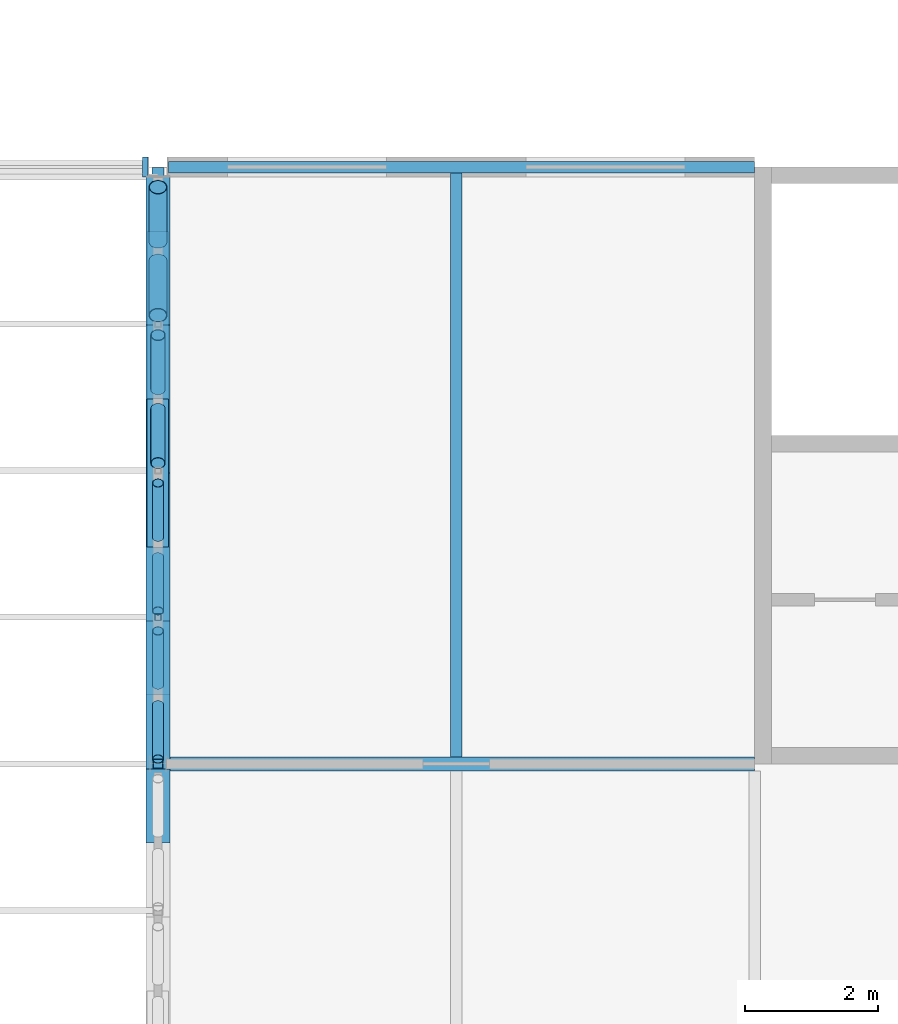
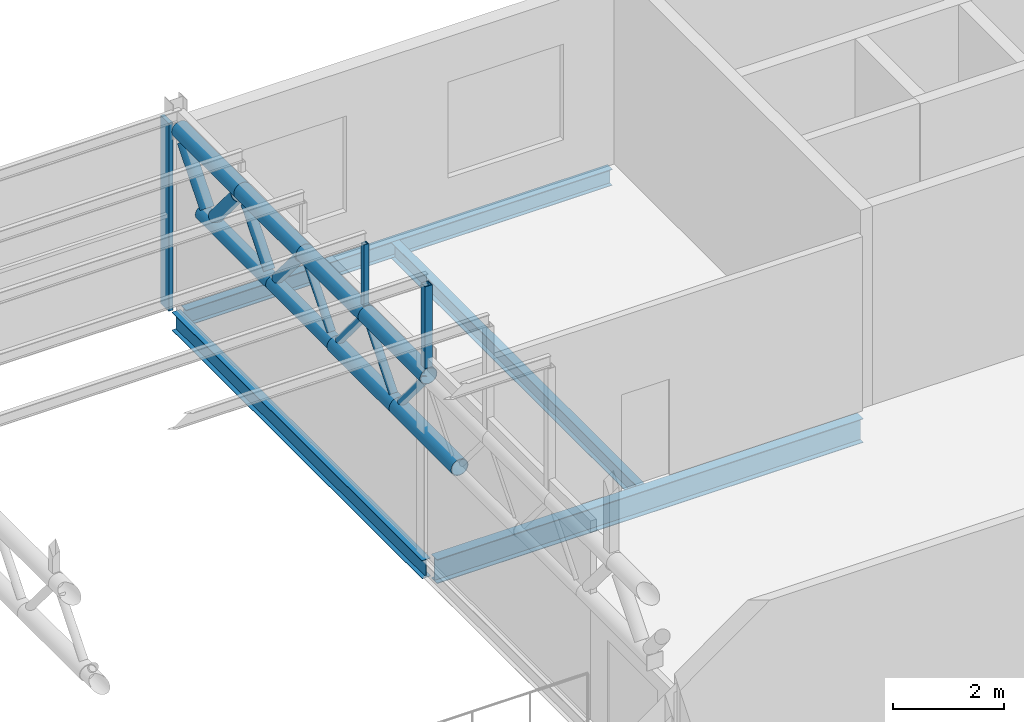
# One storey, part 81 of 138: 19 members, 4 beams, 1 element without a shape of its own.
"""IFC4 building model written with IfcOpenShell, lengths in metres."""

from ifc_helpers import new_model, si_unit, direction, frame, origin, origin_2d, place, context, subcontext, project, spatial, rectangle, hollow_rectangle, hollow_circle, i_section, extrude, material, layer, layer_set, material_profile, profile_set, type_object, element, aggregate, save


model = new_model("IFC4")

# Units and contexts
model_context = context("Model", 3, precision=1e-05, world=origin(), true_north=direction((0.0, 1.0)))
body_context = subcontext(model_context, "Body", "Model", "MODEL_VIEW")
ifc_project = project(units=[si_unit("LENGTHUNIT", "METRE"), si_unit("AREAUNIT", "SQUARE_METRE"), si_unit("VOLUMEUNIT", "CUBIC_METRE"), si_unit("PLANEANGLEUNIT", "RADIAN"), si_unit("MASSUNIT", "GRAM", prefix="KILO")], contexts=[model_context])

# Site, building, storey
site_placement = place(None, origin())
site = spatial("IfcSite", under=ifc_project, at=site_placement, CompositionType="ELEMENT")
building_placement = place(site_placement, origin())
building = spatial("IfcBuilding", under=site, at=building_placement, Name="Corbel Yard City Hall", CompositionType="ELEMENT")
storey_placement = place(building_placement, frame((0.0, 0.0, 10.5)))
storey = spatial("IfcBuildingStorey", under=building, at=storey_placement, Name="L02", CompositionType="ELEMENT", Elevation=10.5)

# Beams
ifc_material_1 = material(Name="Steel Grade 300 (300 MPa yield)", Category="steel")
ifc_material_profile_1 = material_profile(ifc_material_1, i_section(OverallWidth=0.172119140625, OverallDepth=0.35888671875, WebThickness=0.008056640625, FlangeThickness=0.012939453125, at=origin_2d()), Name="360UB56.7")
ifc_profile_set_1 = profile_set([ifc_material_profile_1], Name="Steel Grade 300 (300 MPa yield)")
beam_type_1 = type_object("IfcBeamType", Name="Edge beam 360UB56.7", PredefinedType="BEAM", material=ifc_profile_set_1)
beam_1_placement = place(storey_placement, frame((162.157470703125, 27.0, -0.32958984375), z_axis=(1.0, 0.0, 0.0), x_axis=(0.0, 1.0, 0.0)))
element("IfcBeam", 1, at=beam_1_placement, inside=storey, type_object=beam_type_1, Name="Edge beam 360UB56.7 EB4 L02floor", PredefinedType="BEAM", context=body_context, shape_type="SweptSolid", body=[
    extrude(i_section(OverallWidth=0.172119140625, OverallDepth=0.35888671875, WebThickness=0.008056640625, FlangeThickness=0.012939453125, at=origin_2d()), origin(), (0.0, 0.0, 1.0), 8.842529296875),
])
ifc_material_profile_2 = material_profile(ifc_material_1, i_section(OverallWidth=0.177978515625, OverallDepth=0.403076171875, WebThickness=0.007568359375, FlangeThickness=0.010986328125, at=origin_2d()), Name="410UB53.7")
ifc_profile_set_2 = profile_set([ifc_material_profile_2], Name="Steel Grade 300 (300 MPa yield)")
beam_type_2 = type_object("IfcBeamType", Name="Edge beam 410UB53.7", PredefinedType="BEAM", material=ifc_profile_set_2)
beam_2_placement = place(storey_placement, frame((162.0, 18.005859375, -0.3515625), z_axis=(0.0, 1.0, 0.0), x_axis=(-1.0, 0.0, 0.0)))
element("IfcBeam", 2, at=beam_2_placement, inside=storey, type_object=beam_type_2, Name="Edge beam 410UB53.7 EB6 L02floor", PredefinedType="BEAM", context=body_context, shape_type="SweptSolid", body=[
    extrude(i_section(OverallWidth=0.177978515625, OverallDepth=0.403076171875, WebThickness=0.007568359375, FlangeThickness=0.010986328125, at=origin_2d()), origin(), (0.0, 0.0, 1.0), 8.98828125),
])
ifc_material_profile_3 = material_profile(ifc_material_1, i_section(OverallWidth=0.208984375, OverallDepth=0.528076171875, WebThickness=0.009521484375, FlangeThickness=0.01318359375, at=origin_2d()), Name="530UB82.0")
ifc_profile_set_3 = profile_set([ifc_material_profile_3], Name="Steel Grade 300 (300 MPa yield)")
beam_type_3 = type_object("IfcBeamType", Name="Girder 530UB82.0", PredefinedType="BEAM", material=ifc_profile_set_3)
beam_3_placement = place(storey_placement, frame((162.157470703125, 18.0, -0.4140625), z_axis=(1.0, 0.0, 0.0), x_axis=(0.0, 1.0, 0.0)))
element("IfcBeam", 3, at=beam_3_placement, inside=storey, type_object=beam_type_3, Name="Girder 530UB82.0 GB3 L02floor", PredefinedType="BEAM", context=body_context, shape_type="SweptSolid", body=[
    extrude(i_section(OverallWidth=0.208984375, OverallDepth=0.528076171875, WebThickness=0.009521484375, FlangeThickness=0.01318359375, at=origin_2d()), origin(), (0.0, 0.0, 1.0), 8.842529296875),
])

# Members
ifc_material_2 = material(Name="Steel Grade C350L0", Category="steel")
ifc_material_profile_4 = material_profile(ifc_material_2, hollow_circle(Radius=0.161865234375, WallThickness=0.0126953125, at=origin_2d()), Name="323.9x12.7CHS")
ifc_profile_set_4 = profile_set([ifc_material_profile_4], Name="Steel Grade C350L0")
member_type_1 = type_object("IfcMemberType", Name="Hall roof truss bottom chord 323.9x12.7CHS", PredefinedType="CHORD", material=ifc_profile_set_4)
member_1_placement = place(storey_placement, frame((162.0, 21.270263671875, 2.59228515625), z_axis=(0.0, 1.0, 0.0), x_axis=(-1.0, 0.0, 0.0)))
element("IfcMember", 4, at=member_1_placement, inside=storey, type_object=member_type_1, Name="Hall roof truss bottom chord 323.9x12.7CHS TC2", PredefinedType="CHORD", context=body_context, shape_type="SweptSolid", body=[
    extrude(hollow_circle(Radius=0.161865234375, WallThickness=0.0126953125, at=origin_2d()), origin(), (0.0, 0.0, 1.0), 2.230712890625),
])
member_2_placement = place(storey_placement, frame((162.0, 23.5009765625, 2.59228515625), z_axis=(0.0, 1.0, 0.0), x_axis=(-1.0, 0.0, 0.0)))
element("IfcMember", 5, at=member_2_placement, inside=storey, type_object=member_type_1, Name="Hall roof truss bottom chord 323.9x12.7CHS TC2", PredefinedType="CHORD", context=body_context, shape_type="SweptSolid", body=[
    extrude(hollow_circle(Radius=0.161865234375, WallThickness=0.0126953125, at=origin_2d()), origin(), (0.0, 0.0, 1.0), 2.531005859375),
])
ifc_material_profile_5 = material_profile(ifc_material_2, hollow_circle(Radius=0.177734375, WallThickness=0.0126953125, at=origin_2d()), Name="355.6x12.7CHS")
ifc_profile_set_5 = profile_set([ifc_material_profile_5], Name="Steel Grade C350L0")
member_type_2 = type_object("IfcMemberType", Name="Hall roof truss bottom chord 355.6x12.7CHS", PredefinedType="CHORD", material=ifc_profile_set_5)
for number, where, z_axis, x_axis, name in (
    (6, (162.0, 16.808349609375, 2.59228515625), (0.0, 1.0, 0.0), (-1.0, 0.0, 0.0), "Hall roof truss bottom chord 355.6x12.7CHS TC3"),
    (7, (162.0, 19.039306640625, 2.59228515625), (0.0, 1.0, 0.0), (-1.0, 0.0, 0.0), "Hall roof truss bottom chord 355.6x12.7CHS TC3"),
):
    element("IfcMember", number, at=place(storey_placement, frame(where, z_axis=z_axis, x_axis=x_axis)), inside=storey, type_object=member_type_2, Name=name, PredefinedType="CHORD", context=body_context, shape_type="SweptSolid", body=[
        extrude(hollow_circle(Radius=0.177734375, WallThickness=0.0126953125, at=origin_2d()), origin(), (0.0, 0.0, 1.0), 2.23095703125),
    ])
ifc_material_profile_6 = material_profile(ifc_material_2, hollow_circle(Radius=0.084228515625, WallThickness=0.007080078125, at=origin_2d()), Name="168.3x7.1CHS")
ifc_profile_set_6 = profile_set([ifc_material_profile_6], Name="Steel Grade C350L0")
member_type_3 = type_object("IfcMemberType", Name="Hall roof truss diagonal 168.3x7.1CHS", PredefinedType="STRUT", material=ifc_profile_set_6)
for number, where, z_axis, x_axis, name in (
    (8, (162.0, 18.07275390625, 3.744384765625), (0.0, 0.642692233301, -0.766124463292), (-1.0, 0.0, 0.0), "Hall roof truss diagonal 168.3x7.1CHS TD3"),
    (9, (162.0, 19.188232421875, 2.77001953125), (0.0, 0.642692233301, 0.766124463292), (-1.0, 0.0, 0.0), "Hall roof truss diagonal 168.3x7.1CHS TD3"),
    (10, (162.0, 20.3037109375, 3.744384765625), (0.0, 0.642692233301, -0.766124463292), (-1.0, 0.0, 0.0), "Hall roof truss diagonal 168.3x7.1CHS TD3"),
    (11, (162.0, 21.419189453125, 2.77001953125), (0.0, 0.642692233301, 0.766124463292), (-1.0, 0.0, 0.0), "Hall roof truss diagonal 168.3x7.1CHS TD3"),
):
    element("IfcMember", number, at=place(storey_placement, frame(where, z_axis=z_axis, x_axis=x_axis)), inside=storey, type_object=member_type_3, Name=name, PredefinedType="STRUT", context=body_context, shape_type="SweptSolid", body=[
        extrude(hollow_circle(Radius=0.084228515625, WallThickness=0.007080078125, at=origin_2d()), origin(), (0.0, 0.0, 1.0), 1.271728515625),
    ])
ifc_material_profile_7 = material_profile(ifc_material_2, hollow_circle(Radius=0.109619140625, WallThickness=0.00830078125, at=origin_2d()), Name="219.1x8.2CHS")
ifc_profile_set_7 = profile_set([ifc_material_profile_7], Name="Steel Grade C350L0")
member_type_4 = type_object("IfcMemberType", Name="Hall roof truss diagonal 219.1x8.2CHS", PredefinedType="STRUT", material=ifc_profile_set_7)
for number, where, z_axis, x_axis, name in (
    (12, (162.0, 22.53466796875, 3.744384765625), (0.0, 0.642692233301, -0.766124463292), (-1.0, 0.0, 0.0), "Hall roof truss diagonal 219.1x8.2CHS TD2"),
    (13, (162.0, 23.650146484375, 2.77001953125), (0.0, 0.642692233301, 0.766124463292), (-1.0, 0.0, 0.0), "Hall roof truss diagonal 219.1x8.2CHS TD2"),
):
    element("IfcMember", number, at=place(storey_placement, frame(where, z_axis=z_axis, x_axis=x_axis)), inside=storey, type_object=member_type_4, Name=name, PredefinedType="STRUT", context=body_context, shape_type="SweptSolid", body=[
        extrude(hollow_circle(Radius=0.109619140625, WallThickness=0.00830078125, at=origin_2d()), origin(), (0.0, 0.0, 1.0), 1.271728515625),
    ])
ifc_material_profile_8 = material_profile(ifc_material_2, hollow_circle(Radius=0.136474609375, WallThickness=0.00927734375, at=origin_2d()), Name="273.1x9.3CHS")
ifc_profile_set_8 = profile_set([ifc_material_profile_8], Name="Steel Grade C350L0")
member_type_5 = type_object("IfcMemberType", Name="Hall roof truss diagonal 273.1x9.3CHS", PredefinedType="STRUT", material=ifc_profile_set_8)
for number, where, z_axis, x_axis, name in (
    (14, (162.0, 24.765625, 3.744384765625), (0.0, 0.642692233301, -0.766124463292), (-1.0, 0.0, 0.0), "Hall roof truss diagonal 273.1x9.3CHS TD1"),
    (15, (162.0, 25.881103515625, 2.77001953125), (0.0, 0.642692233301, 0.766124463292), (-1.0, 0.0, 0.0), "Hall roof truss diagonal 273.1x9.3CHS TD1"),
):
    element("IfcMember", number, at=place(storey_placement, frame(where, z_axis=z_axis, x_axis=x_axis)), inside=storey, type_object=member_type_5, Name=name, PredefinedType="STRUT", context=body_context, shape_type="SweptSolid", body=[
        extrude(hollow_circle(Radius=0.136474609375, WallThickness=0.00927734375, at=origin_2d()), origin(), (0.0, 0.0, 1.0), 1.271728515625),
    ])
ifc_material_profile_9 = material_profile(ifc_material_2, hollow_circle(Radius=0.177734375, WallThickness=0.0126953125, at=origin_2d()), Name="355.6x12.7CHS")
ifc_profile_set_9 = profile_set([ifc_material_profile_9], Name="Steel Grade C350L0")
member_type_6 = type_object("IfcMemberType", Name="Hall roof truss top chord 355.6x12.7CHS", PredefinedType="CHORD", material=ifc_profile_set_9)
for number, where, z_axis, x_axis, name in (
    (16, (162.0, 17.923828125, 3.922119140625), (0.0, 1.0, 0.0), (-1.0, 0.0, 0.0), "Hall roof truss top chord 355.6x12.7CHS TC1"),
    (17, (162.0, 20.15478515625, 3.922119140625), (0.0, 1.0, 0.0), (-1.0, 0.0, 0.0), "Hall roof truss top chord 355.6x12.7CHS TC1"),
):
    element("IfcMember", number, at=place(storey_placement, frame(where, z_axis=z_axis, x_axis=x_axis)), inside=storey, type_object=member_type_6, Name=name, PredefinedType="CHORD", context=body_context, shape_type="SweptSolid", body=[
        extrude(hollow_circle(Radius=0.177734375, WallThickness=0.0126953125, at=origin_2d()), origin(), (0.0, 0.0, 1.0), 2.23095703125),
    ])
member_3_placement = place(storey_placement, frame((162.0, 22.3857421875, 3.922119140625), z_axis=(0.0, 1.0, 0.0), x_axis=(-1.0, 0.0, 0.0)))
element("IfcMember", 18, at=member_3_placement, inside=storey, type_object=member_type_6, Name="Hall roof truss top chord 355.6x12.7CHS TC1", PredefinedType="CHORD", context=body_context, shape_type="SweptSolid", body=[
    extrude(hollow_circle(Radius=0.177734375, WallThickness=0.0126953125, at=origin_2d()), origin(), (0.0, 0.0, 1.0), 2.230712890625),
])
member_4_placement = place(storey_placement, frame((162.0, 24.616455078125, 3.922119140625), z_axis=(0.0, 1.0, 0.0), x_axis=(-1.0, 0.0, 0.0)))
element("IfcMember", 19, at=member_4_placement, inside=storey, type_object=member_type_6, Name="Hall roof truss top chord 355.6x12.7CHS TC1", PredefinedType="CHORD", context=body_context, shape_type="SweptSolid", body=[
    extrude(hollow_circle(Radius=0.177734375, WallThickness=0.0126953125, at=origin_2d()), origin(), (0.0, 0.0, 1.0), 2.23095703125),
])

# Curtain wall, member
ifc_material_3 = material(Name="Aluminium extrusion", Category="aluminium")
ifc_layer = layer(ifc_material_3, 0.300048828125)
ifc_layer_set = layer_set([ifc_layer], Name="Aluminium extrusion")
curtain_wall_type = type_object("IfcCurtainWallType", Name="CW7", PredefinedType="USERDEFINED", material=ifc_layer_set)
curtain_wall_placement = place(storey_placement, origin())
curtain_wall = element("IfcCurtainWall", 20, at=curtain_wall_placement, inside=storey, type_object=curtain_wall_type, Name="Curtain wall CW7 L02", ObjectType="CURTAIN WALL", PredefinedType="USERDEFINED")
ifc_material_profile_10 = material_profile(ifc_material_3, rectangle(XDim=0.300048828125, YDim=0.080078125, at=origin_2d()), Name="300x80")
ifc_profile_set_10 = profile_set([ifc_material_profile_10], Name="Aluminium extrusion")
member_type_7 = type_object("IfcMemberType", Name="ML7", PredefinedType="MULLION", material=ifc_profile_set_10)
member_5_placement = place(storey_placement, frame((161.805908203125, 27.0, 0.0), z_axis=(0.0, 0.0, 1.0), x_axis=(0.0, 1.0, 0.0)))
member_5 = element("IfcMember", 21, at=member_5_placement, type_object=member_type_7, Name="CW7 mullion 3", PredefinedType="MULLION", context=body_context, shape_type="SweptSolid", body=[
    extrude(rectangle(XDim=0.300048828125, YDim=0.080078125, at=origin_2d()), origin(), (0.0, 0.0, 1.0), 4.12158203125),
])
aggregate(curtain_wall, [member_5])

# Members
ifc_material_4 = material(Name="Steel Grade C450L0", Category="steel")
ifc_material_profile_11 = material_profile(ifc_material_4, hollow_rectangle(XDim=0.10009765625, YDim=0.10009765625, WallThickness=0.006103515625, at=origin_2d()), Name="100x100x6.0SHS")
ifc_profile_set_11 = profile_set([ifc_material_profile_11], Name="Steel Grade C450L0")
member_type_8 = type_object("IfcMemberType", Name="Roof post 100x100x6.0SHS", PredefinedType="POST", material=ifc_profile_set_11)
member_6_placement = place(storey_placement, frame((162.0, 20.2119140625, 4.10009765625), z_axis=(0.0, 0.0, 1.0), x_axis=(1.0, 0.0, 0.0)))
element("IfcMember", 22, at=member_6_placement, inside=storey, type_object=member_type_8, Name="Roof post 100x100x6.0SHS RP3", PredefinedType="POST", context=body_context, shape_type="SweptSolid", body=[
    extrude(hollow_rectangle(XDim=0.10009765625, YDim=0.10009765625, WallThickness=0.006103515625, at=origin_2d()), origin(), (0.0, 0.0, 1.0), 1.3486328125),
])
ifc_material_profile_12 = material_profile(ifc_material_4, hollow_rectangle(XDim=0.14990234375, YDim=0.14990234375, WallThickness=0.009033203125, at=origin_2d()), Name="150x150x9.0SHS")
ifc_profile_set_12 = profile_set([ifc_material_profile_12], Name="Steel Grade C450L0")
member_type_9 = type_object("IfcMemberType", Name="Roof post 150x150x9.0SHS", PredefinedType="POST", material=ifc_profile_set_12)
member_7_placement = place(storey_placement, frame((162.0, 18.0, 4.10009765625), z_axis=(0.0, 0.0, 1.0), x_axis=(1.0, 0.0, 0.0)))
element("IfcMember", 23, at=member_7_placement, inside=storey, type_object=member_type_9, Name="Roof post 150x150x9.0SHS RP2", PredefinedType="POST", context=body_context, shape_type="SweptSolid", body=[
    extrude(hollow_rectangle(XDim=0.14990234375, YDim=0.14990234375, WallThickness=0.009033203125, at=origin_2d()), origin(), (0.0, 0.0, 1.0), 1.791015625),
])

# Beam
ifc_material_profile_13 = material_profile(ifc_material_1, i_section(OverallWidth=0.1708984375, OverallDepth=0.35595703125, WebThickness=0.00732421875, FlangeThickness=0.011474609375, at=origin_2d()), Name="360UB50.7")
ifc_profile_set_13 = profile_set([ifc_material_profile_13], Name="Steel Grade 300 (300 MPa yield)")
beam_type_4 = type_object("IfcBeamType", Name="Secondary beam 360UB50.7", PredefinedType="JOIST", material=ifc_profile_set_13)
beam_4_placement = place(storey_placement, frame((166.5, 18.1044921875, -0.327880859375), z_axis=(0.0, 1.0, 0.0), x_axis=(-1.0, 0.0, 0.0)))
element("IfcBeam", 24, at=beam_4_placement, inside=storey, type_object=beam_type_4, Name="Secondary beam 360UB50.7 SB10 L02floor", PredefinedType="JOIST", context=body_context, shape_type="SweptSolid", body=[
    extrude(i_section(OverallWidth=0.1708984375, OverallDepth=0.35595703125, WebThickness=0.00732421875, FlangeThickness=0.011474609375, at=origin_2d()), origin(), (0.0, 0.0, 1.0), 8.8095703125),
])

save(model, "model.ifc")
